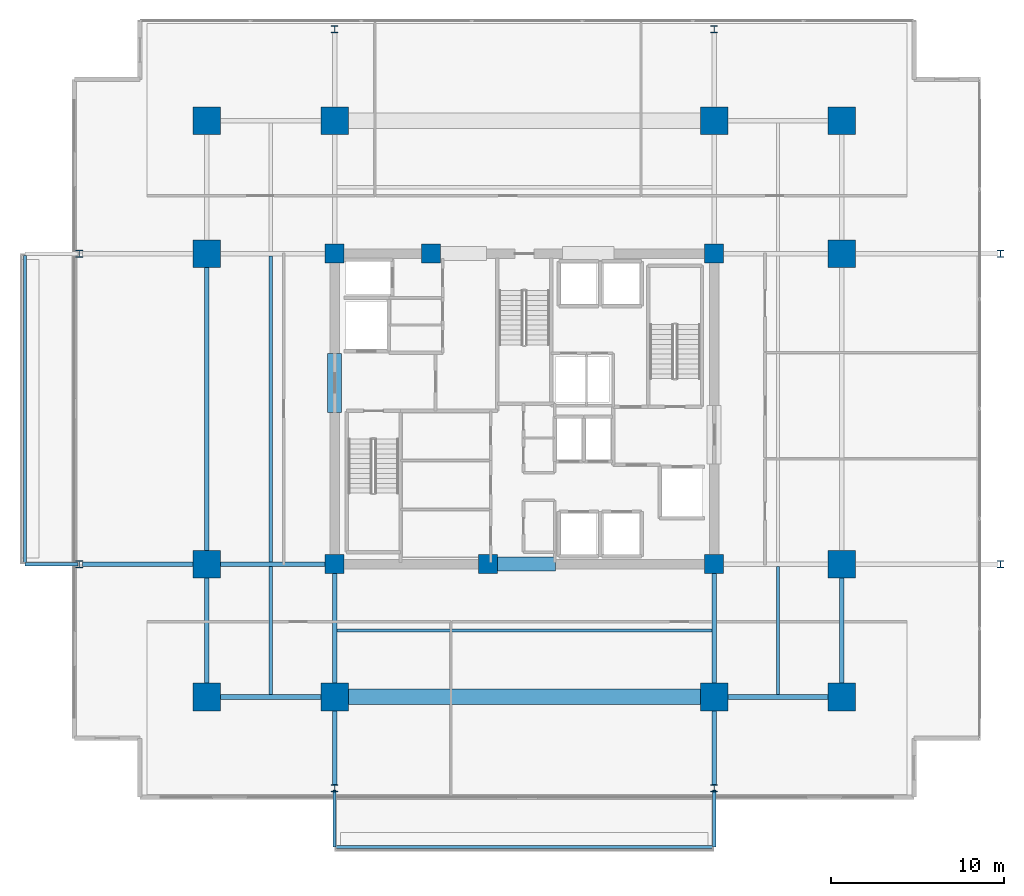
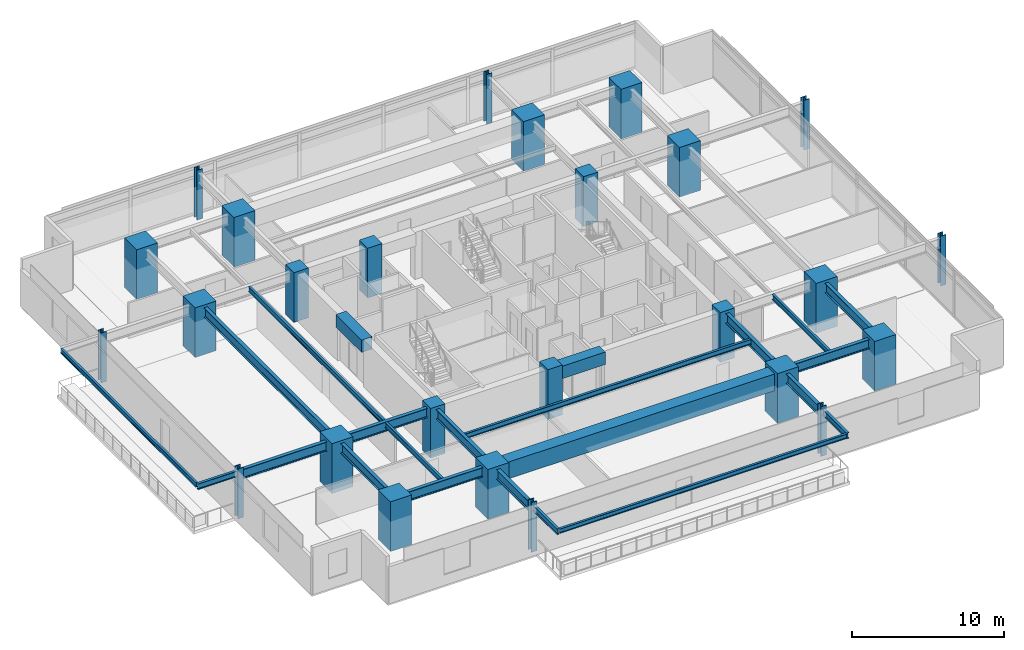
# One storey, part 1 of 23: 26 columns, 23 beams.
"""IFC4 building model written with IfcOpenShell, lengths in metres."""

from ifc_helpers import new_model, si_unit, direction, frame, origin, origin_2d, place, context, subcontext, project, spatial, rectangle, i_section, extrude, material, material_profile, profile_set, type_object, element, save


model = new_model("IFC4")

# Units and contexts
model_context = context("Model", 3, precision=1e-05, world=origin(), true_north=direction((0.0, 1.0)))
body_context = subcontext(model_context, "Body", "Model", "MODEL_VIEW")
ifc_project = project(units=[si_unit("LENGTHUNIT", "METRE"), si_unit("AREAUNIT", "SQUARE_METRE"), si_unit("VOLUMEUNIT", "CUBIC_METRE"), si_unit("PLANEANGLEUNIT", "RADIAN"), si_unit("MASSUNIT", "GRAM", prefix="KILO")], contexts=[model_context])

# Site, building, storey
site_placement = place(None, origin())
site = spatial("IfcSite", under=ifc_project, at=site_placement, CompositionType="ELEMENT")
building_placement = place(site_placement, origin())
building = spatial("IfcBuilding", under=site, at=building_placement, Name="Kovane Verandah Tower", CompositionType="ELEMENT")
storey_placement = place(building_placement, frame((0.0, 0.0, 136.39990234375)))
storey = spatial("IfcBuildingStorey", under=building, at=storey_placement, Name="L31", CompositionType="ELEMENT", Elevation=136.39990234375)

# Columns
ifc_material_1 = material(Name="Concrete C80/95", Category="concrete")
ifc_material_profile_1 = material_profile(ifc_material_1, rectangle(XDim=1.60009765625, YDim=1.60009765625, at=origin_2d()), Name="RC1600x1600")
ifc_profile_set_1 = profile_set([ifc_material_profile_1], Name="Concrete C80/95")
column_type_1 = type_object("IfcColumnType", Name="COL-RC1600", PredefinedType="COLUMN", material=ifc_profile_set_1)
for number, where, z_axis, x_axis, name in (
    (1, (29.0, 10.800048828125, 0.0), (0.0, 0.0, 1.0), (1.0, 0.0, 0.0), "L31 Tower Mega-Column MC-S1"),
    (2, (51.0, 10.800048828125, 0.0), (0.0, 0.0, 1.0), (1.0, 0.0, 0.0), "L31 Tower Mega-Column MC-S2"),
    (3, (29.0, 44.199951171875, 0.0), (0.0, 0.0, 1.0), (1.0, 0.0, 0.0), "L31 Tower Mega-Column MC-N1"),
    (4, (51.0, 44.199951171875, 0.0), (0.0, 0.0, 1.0), (1.0, 0.0, 0.0), "L31 Tower Mega-Column MC-N2"),
    (5, (21.60009765625, 18.5, 0.0), (0.0, 0.0, 1.0), (1.0, 0.0, 0.0), "L31 Tower Mega-Column MC-W1"),
    (6, (21.60009765625, 36.5, 0.0), (0.0, 0.0, 1.0), (1.0, 0.0, 0.0), "L31 Tower Mega-Column MC-W2"),
    (7, (58.39990234375, 18.5, 0.0), (0.0, 0.0, 1.0), (1.0, 0.0, 0.0), "L31 Tower Mega-Column MC-E1"),
    (8, (58.39990234375, 36.5, 0.0), (0.0, 0.0, 1.0), (1.0, 0.0, 0.0), "L31 Tower Mega-Column MC-E2"),
    (9, (21.60009765625, 10.800048828125, 0.0), (0.0, 0.0, 1.0), (1.0, 0.0, 0.0), "L31 Tower Mega-Column MC-SW"),
    (10, (58.39990234375, 10.800048828125, 0.0), (0.0, 0.0, 1.0), (1.0, 0.0, 0.0), "L31 Tower Mega-Column MC-SE"),
    (11, (21.60009765625, 44.199951171875, 0.0), (0.0, 0.0, 1.0), (1.0, 0.0, 0.0), "L31 Tower Mega-Column MC-NW"),
    (12, (58.39990234375, 44.199951171875, 0.0), (0.0, 0.0, 1.0), (1.0, 0.0, 0.0), "L31 Tower Mega-Column MC-NE"),
):
    element("IfcColumn", number, at=place(storey_placement, frame(where, z_axis=z_axis, x_axis=x_axis)), inside=storey, type_object=column_type_1, Name=name, PredefinedType="COLUMN", context=body_context, shape_type="SweptSolid", body=[
        extrude(rectangle(XDim=1.60009765625, YDim=1.60009765625, at=origin_2d()), origin(), (0.0, 0.0, 1.0), 4.0),
    ])
ifc_material_2 = material(Name="Steel S460", Category="steel")
ifc_material_profile_2 = material_profile(ifc_material_2, i_section(OverallWidth=0.412109375, OverallDepth=0.4365234375, WebThickness=0.035888671875, FlangeThickness=0.05810546875, FilletRadius=0.01513671875, at=origin_2d()), Name="UC356x406x467")
ifc_profile_set_2 = profile_set([ifc_material_profile_2], Name="Steel S460")
column_type_2 = type_object("IfcColumnType", Name="COL-UC467", PredefinedType="COLUMN", material=ifc_profile_set_2)
for number, where, z_axis, x_axis, name in (
    (13, (14.199951171875, 18.5, 0.0), (0.0, 0.0, 1.0), (1.0, 0.0, 0.0), "L31 Verandah Perimeter Column VC-W1"),
    (14, (14.199951171875, 36.5, 0.0), (0.0, 0.0, 1.0), (1.0, 0.0, 0.0), "L31 Verandah Perimeter Column VC-W2"),
    (15, (67.60009765625, 18.5, 0.0), (0.0, 0.0, 1.0), (1.0, 0.0, 0.0), "L31 Verandah Perimeter Column VC-E1"),
    (16, (67.60009765625, 36.5, 0.0), (0.0, 0.0, 1.0), (1.0, 0.0, 0.0), "L31 Verandah Perimeter Column VC-E2"),
    (17, (29.0, 5.5, 0.0), (0.0, 0.0, 1.0), (1.0, 0.0, 0.0), "L31 Verandah Perimeter Column VC-S1"),
    (18, (51.0, 5.5, 0.0), (0.0, 0.0, 1.0), (1.0, 0.0, 0.0), "L31 Verandah Perimeter Column VC-S2"),
    (19, (29.0, 49.5, 0.0), (0.0, 0.0, 1.0), (1.0, 0.0, 0.0), "L31 Verandah Perimeter Column VC-N1"),
    (20, (51.0, 49.5, 0.0), (0.0, 0.0, 1.0), (1.0, 0.0, 0.0), "L31 Verandah Perimeter Column VC-N2"),
):
    element("IfcColumn", number, at=place(storey_placement, frame(where, z_axis=z_axis, x_axis=x_axis)), inside=storey, type_object=column_type_2, Name=name, PredefinedType="COLUMN", context=body_context, shape_type="SweptSolid", body=[
        extrude(i_section(OverallWidth=0.412109375, OverallDepth=0.4365234375, WebThickness=0.035888671875, FlangeThickness=0.05810546875, FilletRadius=0.01513671875, at=origin_2d()), origin(), (0.0, 0.0, 1.0), 4.0),
    ])
ifc_material_profile_3 = material_profile(ifc_material_1, rectangle(XDim=1.10009765625, YDim=1.10009765625, at=origin_2d()), Name="RC1100x1100")
ifc_profile_set_3 = profile_set([ifc_material_profile_3], Name="Concrete C80/95")
column_type_3 = type_object("IfcColumnType", Name="PIL-RC1100", PredefinedType="PILASTER", material=ifc_profile_set_3)
for number, where, z_axis, x_axis, name in (
    (21, (29.0, 18.5, 0.0), (0.0, 0.0, 1.0), (1.0, 0.0, 0.0), "L31 Core Pilaster CP-SW"),
    (22, (51.0, 18.5, 0.0), (0.0, 0.0, 1.0), (1.0, 0.0, 0.0), "L31 Core Pilaster CP-SE"),
    (23, (29.0, 36.5, 0.0), (0.0, 0.0, 1.0), (1.0, 0.0, 0.0), "L31 Core Pilaster CP-NW"),
    (24, (51.0, 36.5, 0.0), (0.0, 0.0, 1.0), (1.0, 0.0, 0.0), "L31 Core Pilaster CP-NE"),
    (25, (37.89990234375, 18.5, 0.0), (0.0, 0.0, 1.0), (1.0, 0.0, 0.0), "L31 Core Pilaster CP-S"),
    (26, (34.60009765625, 36.5, 0.0), (0.0, 0.0, 1.0), (1.0, 0.0, 0.0), "L31 Core Pilaster CP-N"),
):
    element("IfcColumn", number, at=place(storey_placement, frame(where, z_axis=z_axis, x_axis=x_axis)), inside=storey, type_object=column_type_3, Name=name, PredefinedType="PILASTER", context=body_context, shape_type="SweptSolid", body=[
        extrude(rectangle(XDim=1.10009765625, YDim=1.10009765625, at=origin_2d()), origin(), (0.0, 0.0, 1.0), 4.0),
    ])

# Beams
ifc_material_3 = material(Name="Concrete C60/75", Category="concrete")
ifc_material_profile_4 = material_profile(ifc_material_3, rectangle(XDim=0.800048828125, YDim=1.0, at=origin_2d()), Name="RCB800x1000")
ifc_profile_set_4 = profile_set([ifc_material_profile_4], Name="Concrete C60/75")
beam_type_1 = type_object("IfcBeamType", Name="BM-LINTEL-800x1000", PredefinedType="LINTEL", material=ifc_profile_set_4)
beam_1_placement = place(storey_placement, frame((38.199951171875, 18.5, 3.275146484375), z_axis=(1.0, 0.0, 0.0), x_axis=(0.0, 1.0, 0.0)))
element("IfcBeam", 27, at=beam_1_placement, inside=storey, type_object=beam_type_1, Name="L31 Core Coupling Lintel CL-S", PredefinedType="LINTEL", context=body_context, shape_type="SweptSolid", body=[
    extrude(rectangle(XDim=0.800048828125, YDim=1.0, at=origin_2d()), origin(), (0.0, 0.0, 1.0), 3.60009765625),
])
beam_2_placement = place(storey_placement, frame((29.0, 27.300048828125, 3.275146484375), z_axis=(0.0, 1.0, 0.0), x_axis=(-1.0, 0.0, 0.0)))
element("IfcBeam", 28, at=beam_2_placement, inside=storey, type_object=beam_type_1, Name="L31 Core Coupling Lintel CL-W", PredefinedType="LINTEL", context=body_context, shape_type="SweptSolid", body=[
    extrude(rectangle(XDim=0.800048828125, YDim=1.0, at=origin_2d()), origin(), (0.0, 0.0, 1.0), 3.39990234375),
])
ifc_material_profile_5 = material_profile(ifc_material_1, rectangle(XDim=0.89990234375, YDim=1.35009765625, at=origin_2d()), Name="RCB900x1350")
ifc_profile_set_5 = profile_set([ifc_material_profile_5], Name="Concrete C80/95")
beam_type_2 = type_object("IfcBeamType", Name="BM-TR-900x1350", PredefinedType="BEAM", material=ifc_profile_set_5)
beam_3_placement = place(storey_placement, frame((29.179931640625, 10.800048828125, 3.10009765625), z_axis=(1.0, 0.0, 0.0), x_axis=(0.0, 1.0, 0.0)))
element("IfcBeam", 29, at=beam_3_placement, inside=storey, type_object=beam_type_2, Name="L31 Primary Tower Girder G-RS2", PredefinedType="BEAM", context=body_context, shape_type="SweptSolid", body=[
    extrude(rectangle(XDim=0.89990234375, YDim=1.35009765625, at=origin_2d()), origin(), (0.0, 0.0, 1.0), 21.64013671875),
])
ifc_material_4 = material(Name="Steel S355", Category="steel")
ifc_material_profile_6 = material_profile(ifc_material_4, i_section(OverallWidth=0.26806640625, OverallDepth=0.769775390625, WebThickness=0.015625, FlangeThickness=0.025390625, FilletRadius=0.0166015625, at=origin_2d()), Name="UB762x267x197")
ifc_profile_set_6 = profile_set([ifc_material_profile_6], Name="Steel S355")
beam_type_3 = type_object("IfcBeamType", Name="BM-UB762x197", PredefinedType="BEAM", material=ifc_profile_set_6)
for number, where, z_axis, x_axis, name in (
    (30, (21.780029296875, 10.800048828125, 3.39013671875), (1.0, 0.0, 0.0), (0.0, 1.0, 0.0), "L31 Primary Tower Girder G-RS1"),
    (31, (51.179931640625, 10.800048828125, 3.39013671875), (1.0, 0.0, 0.0), (0.0, 1.0, 0.0), "L31 Primary Tower Girder G-RS3"),
):
    element("IfcBeam", number, at=place(storey_placement, frame(where, z_axis=z_axis, x_axis=x_axis)), inside=storey, type_object=beam_type_3, Name=name, PredefinedType="BEAM", context=body_context, shape_type="SweptSolid", body=[
        extrude(i_section(OverallWidth=0.26806640625, OverallDepth=0.769775390625, WebThickness=0.015625, FlangeThickness=0.025390625, FilletRadius=0.0166015625, at=origin_2d()), origin(), (0.0, 0.0, 1.0), 7.0400390625),
    ])
beam_4_placement = place(storey_placement, frame((21.60009765625, 10.97998046875, 3.39013671875), z_axis=(0.0, 1.0, 0.0), x_axis=(-1.0, 0.0, 0.0)))
element("IfcBeam", 32, at=beam_4_placement, inside=storey, type_object=beam_type_3, Name="L31 Primary Tower Girder G-RW1", PredefinedType="BEAM", context=body_context, shape_type="SweptSolid", body=[
    extrude(i_section(OverallWidth=0.26806640625, OverallDepth=0.769775390625, WebThickness=0.015625, FlangeThickness=0.025390625, FilletRadius=0.0166015625, at=origin_2d()), origin(), (0.0, 0.0, 1.0), 7.340087890625),
])
beam_5_placement = place(storey_placement, frame((21.60009765625, 18.679931640625, 3.39013671875), z_axis=(0.0, 1.0, 0.0), x_axis=(-1.0, 0.0, 0.0)))
element("IfcBeam", 33, at=beam_5_placement, inside=storey, type_object=beam_type_3, Name="L31 Primary Tower Girder G-RW2", PredefinedType="BEAM", context=body_context, shape_type="SweptSolid", body=[
    extrude(i_section(OverallWidth=0.26806640625, OverallDepth=0.769775390625, WebThickness=0.015625, FlangeThickness=0.025390625, FilletRadius=0.0166015625, at=origin_2d()), origin(), (0.0, 0.0, 1.0), 17.64013671875),
])
beam_6_placement = place(storey_placement, frame((58.39990234375, 10.97998046875, 3.39013671875), z_axis=(0.0, 1.0, 0.0), x_axis=(-1.0, 0.0, 0.0)))
element("IfcBeam", 34, at=beam_6_placement, inside=storey, type_object=beam_type_3, Name="L31 Primary Tower Girder G-RE1", PredefinedType="BEAM", context=body_context, shape_type="SweptSolid", body=[
    extrude(i_section(OverallWidth=0.26806640625, OverallDepth=0.769775390625, WebThickness=0.015625, FlangeThickness=0.025390625, FilletRadius=0.0166015625, at=origin_2d()), origin(), (0.0, 0.0, 1.0), 7.340087890625),
])
beam_7_placement = place(storey_placement, frame((28.820068359375, 18.5, 3.39013671875), z_axis=(-1.0, 0.0, 0.0), x_axis=(0.0, -1.0, 0.0)))
element("IfcBeam", 35, at=beam_7_placement, inside=storey, type_object=beam_type_3, Name="L31 Primary Tower Girder G-W1", PredefinedType="BEAM", context=body_context, shape_type="SweptSolid", body=[
    extrude(i_section(OverallWidth=0.26806640625, OverallDepth=0.769775390625, WebThickness=0.015625, FlangeThickness=0.025390625, FilletRadius=0.0166015625, at=origin_2d()), origin(), (0.0, 0.0, 1.0), 7.0400390625),
])
for number, where, z_axis, x_axis, name in (
    (36, (29.0, 18.320068359375, 3.39013671875), (0.0, -1.0, 0.0), (1.0, 0.0, 0.0), "L31 Primary Tower Girder G-S1"),
    (37, (51.0, 18.320068359375, 3.39013671875), (0.0, -1.0, 0.0), (1.0, 0.0, 0.0), "L31 Primary Tower Girder G-S2"),
):
    element("IfcBeam", number, at=place(storey_placement, frame(where, z_axis=z_axis, x_axis=x_axis)), inside=storey, type_object=beam_type_3, Name=name, PredefinedType="BEAM", context=body_context, shape_type="SweptSolid", body=[
        extrude(i_section(OverallWidth=0.26806640625, OverallDepth=0.769775390625, WebThickness=0.015625, FlangeThickness=0.025390625, FilletRadius=0.0166015625, at=origin_2d()), origin(), (0.0, 0.0, 1.0), 7.340087890625),
    ])
beam_8_placement = place(storey_placement, frame((21.419921875, 18.5, 3.375244140625), z_axis=(-1.0, 0.0, 0.0), x_axis=(0.0, -1.0, 0.0)))
element("IfcBeam", 38, at=beam_8_placement, inside=storey, type_object=beam_type_3, Name="L31 Primary Tower Girder G-VW1", PredefinedType="BEAM", context=body_context, shape_type="SweptSolid", body=[
    extrude(i_section(OverallWidth=0.26806640625, OverallDepth=0.769775390625, WebThickness=0.015625, FlangeThickness=0.025390625, FilletRadius=0.0166015625, at=origin_2d()), origin(), (0.0, 0.0, 1.0), 7.0400390625),
])
for number, where, z_axis, x_axis, name in (
    (39, (29.0, 10.6201171875, 3.375244140625), (0.0, -1.0, 0.0), (1.0, 0.0, 0.0), "L31 Primary Tower Girder G-VS1"),
    (40, (51.0, 10.6201171875, 3.375244140625), (0.0, -1.0, 0.0), (1.0, 0.0, 0.0), "L31 Primary Tower Girder G-VS2"),
):
    element("IfcBeam", number, at=place(storey_placement, frame(where, z_axis=z_axis, x_axis=x_axis)), inside=storey, type_object=beam_type_3, Name=name, PredefinedType="BEAM", context=body_context, shape_type="SweptSolid", body=[
        extrude(i_section(OverallWidth=0.26806640625, OverallDepth=0.769775390625, WebThickness=0.015625, FlangeThickness=0.025390625, FilletRadius=0.0166015625, at=origin_2d()), origin(), (0.0, 0.0, 1.0), 4.940185546875),
    ])
ifc_material_profile_7 = material_profile(ifc_material_4, i_section(OverallWidth=0.179443359375, OverallDepth=0.412841796875, WebThickness=0.009521484375, FlangeThickness=0.01611328125, FilletRadius=0.01025390625, at=origin_2d()), Name="UB406x178x74")
ifc_profile_set_7 = profile_set([ifc_material_profile_7], Name="Steel S355")
beam_type_4 = type_object("IfcBeamType", Name="JST-UB406x74", PredefinedType="JOIST", material=ifc_profile_set_7)
beam_9_placement = place(storey_placement, frame((29.132080078125, 14.64990234375, 3.568603515625), z_axis=(1.0, 0.0, 0.0), x_axis=(0.0, 1.0, 0.0)))
element("IfcBeam", 41, at=beam_9_placement, inside=storey, type_object=beam_type_4, Name="L31 Secondary Composite Joist J-S1", PredefinedType="JOIST", context=body_context, shape_type="SweptSolid", body=[
    extrude(i_section(OverallWidth=0.179443359375, OverallDepth=0.412841796875, WebThickness=0.009521484375, FlangeThickness=0.01611328125, FilletRadius=0.01025390625, at=origin_2d()), origin(), (0.0, 0.0, 1.0), 21.73583984375),
])
beam_10_placement = place(storey_placement, frame((25.300048828125, 18.632080078125, 3.568603515625), z_axis=(0.0, 1.0, 0.0), x_axis=(-1.0, 0.0, 0.0)))
element("IfcBeam", 42, at=beam_10_placement, inside=storey, type_object=beam_type_4, Name="L31 Secondary Composite Joist J-W1", PredefinedType="JOIST", context=body_context, shape_type="SweptSolid", body=[
    extrude(i_section(OverallWidth=0.179443359375, OverallDepth=0.412841796875, WebThickness=0.009521484375, FlangeThickness=0.01611328125, FilletRadius=0.01025390625, at=origin_2d()), origin(), (0.0, 0.0, 1.0), 17.73583984375),
])
for number, where, z_axis, x_axis, name in (
    (43, (25.300048828125, 10.931884765625, 3.568603515625), (0.0, 1.0, 0.0), (-1.0, 0.0, 0.0), "L31 Secondary Composite Joist J-SW1"),
    (44, (54.699951171875, 10.931884765625, 3.568603515625), (0.0, 1.0, 0.0), (-1.0, 0.0, 0.0), "L31 Secondary Composite Joist J-SE1"),
):
    element("IfcBeam", number, at=place(storey_placement, frame(where, z_axis=z_axis, x_axis=x_axis)), inside=storey, type_object=beam_type_4, Name=name, PredefinedType="JOIST", context=body_context, shape_type="SweptSolid", body=[
        extrude(i_section(OverallWidth=0.179443359375, OverallDepth=0.412841796875, WebThickness=0.009521484375, FlangeThickness=0.01611328125, FilletRadius=0.01025390625, at=origin_2d()), origin(), (0.0, 0.0, 1.0), 7.43603515625),
    ])
ifc_material_profile_8 = material_profile(ifc_material_4, i_section(OverallWidth=0.19287109375, OverallDepth=0.46728515625, WebThickness=0.011474609375, FlangeThickness=0.01953125, FilletRadius=0.01025390625, at=origin_2d()), Name="UB457x191x98")
ifc_profile_set_8 = profile_set([ifc_material_profile_8], Name="Steel S355")
beam_type_5 = type_object("IfcBeamType", Name="JST-UB457x98", PredefinedType="JOIST", material=ifc_profile_set_8)
for number, where, z_axis, x_axis, name in (
    (45, (29.0, 5.419921875, 3.526611328125), (0.0, -1.0, 0.0), (1.0, 0.0, 0.0), "L31 South Planter Girder 1"),
    (46, (51.0, 5.419921875, 3.526611328125), (0.0, -1.0, 0.0), (1.0, 0.0, 0.0), "L31 South Planter Girder 2"),
):
    element("IfcBeam", number, at=place(storey_placement, frame(where, z_axis=z_axis, x_axis=x_axis)), inside=storey, type_object=beam_type_5, Name=name, PredefinedType="JOIST", context=body_context, shape_type="SweptSolid", body=[
        extrude(i_section(OverallWidth=0.19287109375, OverallDepth=0.46728515625, WebThickness=0.011474609375, FlangeThickness=0.01953125, FilletRadius=0.01025390625, at=origin_2d()), origin(), (0.0, 0.0, 1.0), 3.310791015625),
    ])
beam_11_placement = place(storey_placement, frame((14.1201171875, 18.5, 3.526611328125), z_axis=(-1.0, 0.0, 0.0), x_axis=(0.0, -1.0, 0.0)))
element("IfcBeam", 47, at=beam_11_placement, inside=storey, type_object=beam_type_5, Name="L31 West Planter Girder 1", PredefinedType="JOIST", context=body_context, shape_type="SweptSolid", body=[
    extrude(i_section(OverallWidth=0.19287109375, OverallDepth=0.46728515625, WebThickness=0.011474609375, FlangeThickness=0.01953125, FilletRadius=0.01025390625, at=origin_2d()), origin(), (0.0, 0.0, 1.0), 3.0712890625),
])
ifc_material_profile_9 = material_profile(ifc_material_4, i_section(OverallWidth=0.173095703125, OverallDepth=0.36328125, WebThickness=0.009033203125, FlangeThickness=0.015625, FilletRadius=0.01025390625, at=origin_2d()), Name="UB356x171x67")
ifc_profile_set_9 = profile_set([ifc_material_profile_9], Name="Steel S355")
beam_type_6 = type_object("IfcBeamType", Name="SPD-UB356x67", PredefinedType="USERDEFINED", material=ifc_profile_set_9)
beam_12_placement = place(storey_placement, frame((29.094482421875, 2.109130859375, 3.578369140625), z_axis=(1.0, 0.0, 0.0), x_axis=(0.0, 1.0, 0.0)))
element("IfcBeam", 48, at=beam_12_placement, inside=storey, type_object=beam_type_6, Name="L31 South Planter Edge Spandrel", ObjectType="SPANDREL", PredefinedType="USERDEFINED", context=body_context, shape_type="SweptSolid", body=[
    extrude(i_section(OverallWidth=0.173095703125, OverallDepth=0.36328125, WebThickness=0.009033203125, FlangeThickness=0.015625, FilletRadius=0.01025390625, at=origin_2d()), origin(), (0.0, 0.0, 1.0), 21.81103515625),
])
beam_13_placement = place(storey_placement, frame((11.048828125, 18.594482421875, 3.578369140625), z_axis=(0.0, 1.0, 0.0), x_axis=(-1.0, 0.0, 0.0)))
element("IfcBeam", 49, at=beam_13_placement, inside=storey, type_object=beam_type_6, Name="L31 West Planter Edge Spandrel", ObjectType="SPANDREL", PredefinedType="USERDEFINED", context=body_context, shape_type="SweptSolid", body=[
    extrude(i_section(OverallWidth=0.173095703125, OverallDepth=0.36328125, WebThickness=0.009033203125, FlangeThickness=0.015625, FilletRadius=0.01025390625, at=origin_2d()), origin(), (0.0, 0.0, 1.0), 17.81103515625),
])

save(model, "model.ifc")
